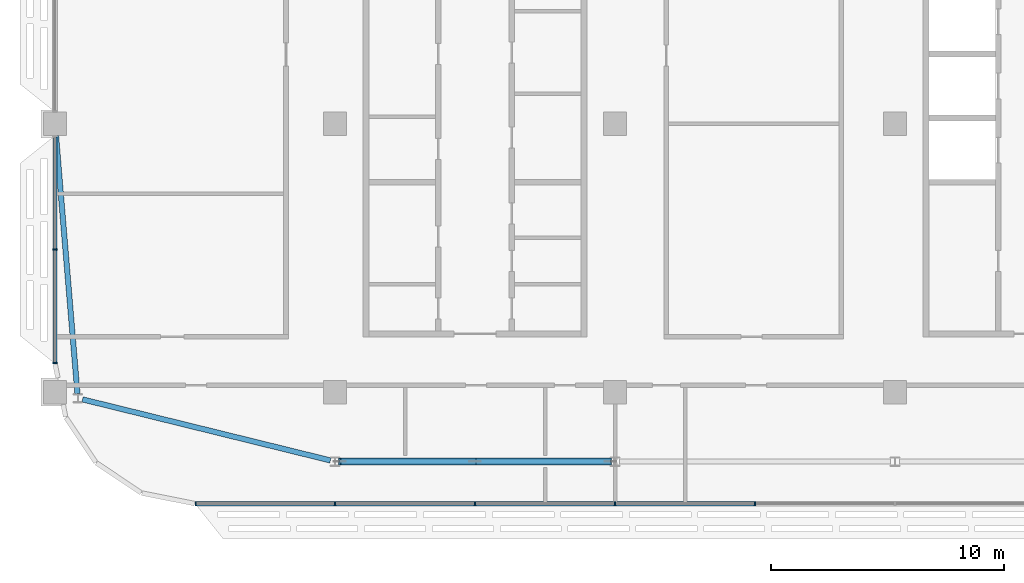
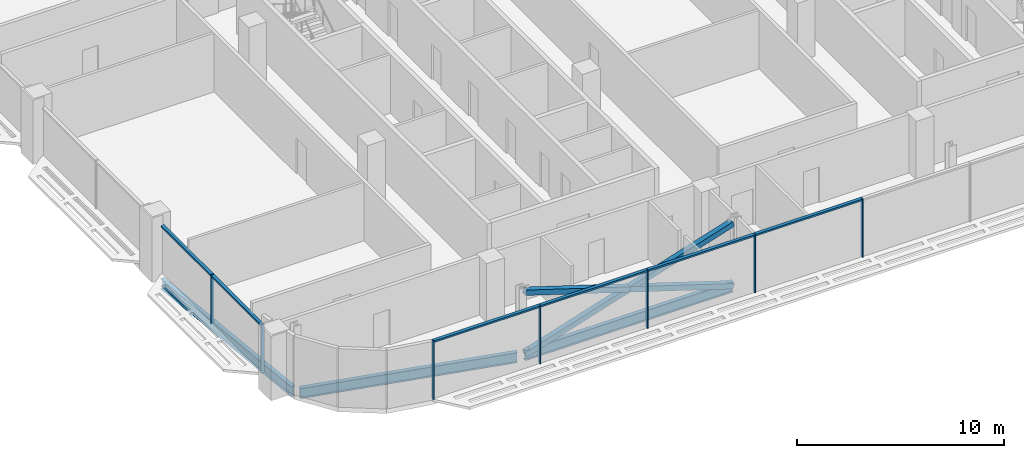
# One storey, part 5 of 32: 16 members, 3 beams, 2 elements without a shape of their own.
"""IFC4 building model written with IfcOpenShell, lengths in metres."""

import ifcopenshell
import ifcopenshell.guid

model = None  # the IFC model being written
_history = None  # IfcOwnerHistory: only IFC2X3 demands one
_inside = {}  # id of a spatial element -> (the spatial element, [elements in it])
_under = {}  # id of a project, library or spatial element -> (it, [spatial elements below it])
_declared = {}  # id of a project -> (the project, [libraries it declares])
_typed = {}  # id of a type object -> (the type object, [elements of that type])
_made_of = {}  # id of a material, layer set ... -> (it, [elements and type objects made of it])


def new_model(schema):
    """Start an empty IFC model of exactly this schema.

    Asked for "IFC4X3", IfcOpenShell would pick the latest addendum, in which some entities
    have other attributes; the version numbers below select the first issue.
    IFC2X3 requires an IfcOwnerHistory on every rooted entity: one is made here for all.
    """
    global model, _history
    if schema == "IFC4X3":
        model = ifcopenshell.file(schema_version=(4, 3, 0, 0))
    else:
        model = ifcopenshell.file(schema=schema)
    _inside.clear()
    _under.clear()
    _declared.clear()
    _typed.clear()
    _made_of.clear()
    _history = None
    if model.schema == "IFC2X3":
        org = make("IfcOrganization", Name="unknown")
        user = make(
            "IfcPersonAndOrganization",
            ThePerson=make("IfcPerson", FamilyName="unknown"),
            TheOrganization=org,
        )
        app = make(
            "IfcApplication",
            ApplicationDeveloper=org,
            Version="unknown",
            ApplicationFullName="unknown",
            ApplicationIdentifier="unknown",
        )
        _history = make(
            "IfcOwnerHistory",
            OwningUser=user,
            OwningApplication=app,
            ChangeAction="ADDED",
            CreationDate=0,
        )
    return model


def make(cls, **values):
    """One entity of the class cls with the attributes given. An attribute that is None is left unset."""
    return model.create_entity(
        cls, **{name: value for name, value in values.items() if value is not None}
    )


def rooted(cls, **values):
    """An entity with a GlobalId (a new one), such as an element, a storey or a relation."""
    return make(cls, GlobalId=ifcopenshell.guid.new(), OwnerHistory=_history, **values)


def si_unit(unit_type, name, prefix=None):
    """IfcSIUnit, for example si_unit("LENGTHUNIT", "METRE", prefix="MILLI")."""
    return make("IfcSIUnit", UnitType=unit_type, Prefix=prefix, Name=name)


def assignment(units):
    """IfcUnitAssignment: the units of a project."""
    return None if units is None else make("IfcUnitAssignment", Units=units)


def point(xyz):
    """IfcCartesianPoint."""
    return None if xyz is None else make("IfcCartesianPoint", Coordinates=xyz)


def direction(xyz):
    """IfcDirection."""
    return None if xyz is None else make("IfcDirection", DirectionRatios=xyz)


def frame(location, z_axis=None, x_axis=None):
    """IfcAxis2Placement3D, a coordinate frame: its origin and axes. An axis left out is left unset."""
    return make(
        "IfcAxis2Placement3D",
        Location=point(location),
        Axis=direction(z_axis),
        RefDirection=direction(x_axis),
    )


def frame_2d(location, x_axis=None):
    """IfcAxis2Placement2D, a coordinate frame in the plane: its origin and x axis."""
    return make(
        "IfcAxis2Placement2D", Location=point(location), RefDirection=direction(x_axis)
    )


def origin():
    """The frame at (0, 0, 0) with its axes left unset."""
    return frame((0.0, 0.0, 0.0))


def origin_2d():
    """The frame at (0, 0) in the plane with its x axis left unset."""
    return frame_2d((0.0, 0.0))


def place(relative_to, where):
    """IfcLocalPlacement: puts the frame where relative to a parent placement (None: the world)."""
    return make(
        "IfcLocalPlacement", PlacementRelTo=relative_to, RelativePlacement=where
    )


def context(
    kind, dimensions, precision=None, world=None, true_north=None, identifier=None
):
    """IfcGeometricRepresentationContext, for example the 3D "Model" context."""
    return make(
        "IfcGeometricRepresentationContext",
        ContextIdentifier=identifier,
        ContextType=kind,
        CoordinateSpaceDimension=dimensions,
        Precision=precision,
        WorldCoordinateSystem=world,
        TrueNorth=true_north,
    )


def subcontext(parent, identifier, kind, view, scale=None):
    """IfcGeometricRepresentationSubContext, for example "Body" below "Model"."""
    return make(
        "IfcGeometricRepresentationSubContext",
        ContextIdentifier=identifier,
        ContextType=kind,
        ParentContext=parent,
        TargetScale=scale,
        TargetView=view,
    )


def project(units=None, contexts=None):
    """IfcProject with its units and contexts."""
    return rooted(
        "IfcProject",
        Name="project",
        RepresentationContexts=contexts,
        UnitsInContext=assignment(units),
    )


def spatial(cls, under=None, at=None, **own):
    """A site, building, storey or space (cls), placed at a placement, below another one or the project."""
    s = rooted(cls, ObjectPlacement=at, **own)
    if under is not None:
        _under.setdefault(under.id(), (under, []))[1].append(s)
    return s


def profile(cls, at=None, kind="AREA", **sizes):
    """A parametric profile (cls). Its sizes go by their IFC names, for example OverallWidth=200.0."""
    return make(cls, ProfileType=kind, Position=at, **sizes)


def rectangle(**sizes):
    """IfcRectangleProfileDef."""
    return profile("IfcRectangleProfileDef", **sizes)


def hollow_rectangle(**sizes):
    """IfcRectangleHollowProfileDef."""
    return profile("IfcRectangleHollowProfileDef", **sizes)


def i_section(**sizes):
    """IfcIShapeProfileDef."""
    return profile("IfcIShapeProfileDef", **sizes)


def extrude(swept, where, along, depth):
    """IfcExtrudedAreaSolid: the profile swept, set in the frame where, extruded along a direction by depth."""
    return make(
        "IfcExtrudedAreaSolid",
        SweptArea=swept,
        Position=where,
        ExtrudedDirection=direction(along),
        Depth=depth,
    )


def shape(context_of_items, identifier, shape_type, items):
    """IfcShapeRepresentation: the items that make up one representation, for example the "Body"."""
    return make(
        "IfcShapeRepresentation",
        ContextOfItems=context_of_items,
        RepresentationIdentifier=identifier,
        RepresentationType=shape_type,
        Items=items,
    )


def material(Name=None, Category=None):
    """IfcMaterial."""
    return make("IfcMaterial", Name=Name, Category=Category)


def material_profile(
    of_material, cross_section, Name=None, Category=None, Priority=None
):
    """IfcMaterialProfile: a cross section and its material."""
    return make(
        "IfcMaterialProfile",
        Name=Name,
        Material=of_material,
        Profile=cross_section,
        Priority=Priority,
        Category=Category,
    )


def profile_set(profiles, Name=None, composite=None):
    """IfcMaterialProfileSet."""
    return make(
        "IfcMaterialProfileSet",
        Name=Name,
        MaterialProfiles=profiles,
        CompositeProfile=composite,
    )


def made_of(thing, what):
    """Note that an element or type object is made of a material, layer set ...; save() writes the relation."""
    if what is not None:
        _made_of.setdefault(what.id(), (what, []))[1].append(thing)
    return thing


def type_object(cls, material=None, **own):
    """A type object (cls), such as IfcWallType, which elements share."""
    return made_of(rooted(cls, **own), material)


def element(
    cls,
    number,
    at=None,
    inside=None,
    cuts=None,
    type_object=None,
    material=None,
    context=None,
    identifier="Body",
    shape_type=None,
    held_by="IfcProductDefinitionShape",
    body=None,
    shapes=None,
    **own,
):
    """One element of the class cls, such as IfcWall. Its Tag is "e" and its number.

    at: its placement. inside: the storey or other place that contains it. cuts: it is an
    opening in that element (IfcRelVoidsElement). A single representation is given by context,
    identifier, shape_type and body (its items); several are given by shapes. held_by: the class
    of the entity that holds the representations. save() writes the other relations.
    """
    e = rooted(cls, Tag="e%d" % number, ObjectPlacement=at, **own)
    if body is not None:
        shapes = [shape(context, identifier, shape_type, body)]
    if shapes is not None:
        e.Representation = make(held_by, Representations=shapes)
    if inside is not None:
        _inside.setdefault(inside.id(), (inside, []))[1].append(e)
    if cuts is not None:
        rooted(
            "IfcRelVoidsElement", RelatingBuildingElement=cuts, RelatedOpeningElement=e
        )
    if type_object is not None:
        _typed.setdefault(type_object.id(), (type_object, []))[1].append(e)
    return made_of(e, material)


def aggregate(whole, parts):
    """IfcRelAggregates: a whole, such as a stair, and the parts it consists of."""
    return rooted("IfcRelAggregates", RelatingObject=whole, RelatedObjects=parts)


def save(model, path):
    """Write the relations noted so far, then the file.

    IfcRelAggregates (storeys below a building ...), IfcRelContainedInSpatialStructure (elements
    in a storey), IfcRelDefinesByType, IfcRelAssociatesMaterial and IfcRelDeclares: one each for
    every whole, place, type object, material and project.
    """
    for whole, parts in _under.values():
        aggregate(whole, parts)
    for where, things in _inside.values():
        rooted(
            "IfcRelContainedInSpatialStructure",
            RelatedElements=things,
            RelatingStructure=where,
        )
    for kind, things in _typed.values():
        rooted("IfcRelDefinesByType", RelatedObjects=things, RelatingType=kind)
    for what, things in _made_of.values():
        rooted("IfcRelAssociatesMaterial", RelatedObjects=things, RelatingMaterial=what)
    for by, libraries in _declared.values():
        rooted("IfcRelDeclares", RelatingContext=by, RelatedDefinitions=libraries)
    model.write(path)


model = new_model("IFC4")

# Units and contexts
model_context = context("Model", 3, precision=1e-05, world=origin(), true_north=direction((0.0, 1.0)))
body_context = subcontext(model_context, "Body", "Model", "MODEL_VIEW")
ifc_project = project(units=[si_unit("LENGTHUNIT", "METRE"), si_unit("AREAUNIT", "SQUARE_METRE"), si_unit("VOLUMEUNIT", "CUBIC_METRE"), si_unit("PLANEANGLEUNIT", "RADIAN"), si_unit("MASSUNIT", "GRAM", prefix="KILO")], contexts=[model_context])

# Site, building, storey
site_placement = place(None, origin())
site = spatial("IfcSite", under=ifc_project, at=site_placement, CompositionType="ELEMENT")
building_placement = place(site_placement, origin())
building = spatial("IfcBuilding", under=site, at=building_placement, Name="Mahtab Terrace Research Tower", CompositionType="ELEMENT")
storey_placement = place(building_placement, frame((0.0, 0.0, 236.199951171875)))
storey = spatial("IfcBuildingStorey", under=building, at=storey_placement, Name="L57", CompositionType="ELEMENT", Elevation=236.199951171875)

# Members
ifc_material_1 = material(Name="Steel ASTM A500 Gr C", Category="steel")
ifc_material_profile_1 = material_profile(ifc_material_1, hollow_rectangle(XDim=0.3046875, YDim=0.3046875, WallThickness=0.015869140625, at=origin_2d()), Name="HSS12X12X5/8")
ifc_profile_set_1 = profile_set([ifc_material_profile_1], Name="Steel ASTM A500 Gr C")
member_type_1 = type_object("IfcMemberType", Name="HSS 12x12x5/8 brace XB121258", PredefinedType="BRACE", material=ifc_profile_set_1)
member_1_placement = place(storey_placement, frame((-29.800537109375, -14.472900390625, -0.580322265625), z_axis=(0.953344342533, 0.0, 0.301885018774), x_axis=(0.0, 1.0, 0.0)))
element("IfcMember", 1, at=member_1_placement, inside=storey, type_object=member_type_1, Name="Exoskeleton brace L57 13 a", PredefinedType="BRACE", context=body_context, shape_type="SweptSolid", body=[
    extrude(hollow_rectangle(XDim=0.3046875, YDim=0.3046875, WallThickness=0.015869140625, at=origin_2d()), origin(), (0.0, 0.0, 1.0), 12.168701171875),
])
for number, where, z_axis, x_axis, name in (
    (2, (-18.199462890625, -14.472900390625, -0.580322265625), (-0.953338568311, 0.0, 0.301903252998), (0.0, -1.0, 0.0), "Exoskeleton brace L57 13 b1"),
    (3, (-24.0, -14.472900390625, 1.256591796875), (-0.953350116476, 0.0, 0.301866784219), (0.0, -1.0, 0.0), "Exoskeleton brace L57 13 b2"),
):
    element("IfcMember", number, at=place(storey_placement, frame(where, z_axis=z_axis, x_axis=x_axis)), inside=storey, type_object=member_type_1, Name=name, PredefinedType="BRACE", context=body_context, shape_type="SweptSolid", body=[
        extrude(hollow_rectangle(XDim=0.3046875, YDim=0.3046875, WallThickness=0.015869140625, at=origin_2d()), origin(), (0.0, 0.0, 1.0), 6.08447265625),
    ])

# Curtain wall, members
ifc_material_2 = material(Name="Office ribbon curtain wall")
curtain_wall_type = type_object("IfcCurtainWallType", Name="Office ribbon curtain wall", PredefinedType="NOTDEFINED", material=ifc_material_2)
curtain_wall_1_placement = place(storey_placement, origin())
curtain_wall_1 = element("IfcCurtainWall", 4, at=curtain_wall_1_placement, inside=storey, type_object=curtain_wall_type, Name="EN.L57.8.10", PredefinedType="NOTDEFINED")
ifc_material_3 = material(Name="Natural anodised aluminium", Category="aluminium")
ifc_material_profile_2 = material_profile(ifc_material_3, rectangle(XDim=0.179931640625, YDim=0.06005859375, at=origin_2d()), Name="MULLION 60x180")
ifc_profile_set_2 = profile_set([ifc_material_profile_2], Name="Natural anodised aluminium")
member_type_2 = type_object("IfcMemberType", Name="Office ribbon curtain wall mullion", PredefinedType="MULLION", material=ifc_profile_set_2)
member_2_placement = place(storey_placement, frame((-42.0, -5.388916015625, 0.0), z_axis=(0.0, 0.0, 1.0), x_axis=(1.0, 0.0, 0.0)))
member_2 = element("IfcMember", 5, at=member_2_placement, type_object=member_type_2, Name="CWO-7 mullion 2", PredefinedType="MULLION", context=body_context, shape_type="SweptSolid", body=[
    extrude(rectangle(XDim=0.179931640625, YDim=0.06005859375, at=origin_2d()), origin(), (0.0, 0.0, 1.0), 2.85302734375),
])
member_3_placement = place(storey_placement, frame((-42.0, -10.248046875, 0.0), z_axis=(0.0, 0.0, 1.0), x_axis=(1.0, 0.0, 0.0)))
member_3 = element("IfcMember", 6, at=member_3_placement, type_object=member_type_2, Name="CWO-7 mullion 3", PredefinedType="MULLION", context=body_context, shape_type="SweptSolid", body=[
    extrude(rectangle(XDim=0.179931640625, YDim=0.06005859375, at=origin_2d()), origin(), (0.0, 0.0, 1.0), 2.85302734375),
])

curtain_wall_2_placement = place(storey_placement, origin())
curtain_wall_2 = element("IfcCurtainWall", 7, at=curtain_wall_2_placement, inside=storey, type_object=curtain_wall_type, Name="EN.L57.13.16", PredefinedType="NOTDEFINED")
member_4_placement = place(storey_placement, frame((-35.969970703125, -16.278076171875, 0.0), z_axis=(0.0, 0.0, 1.0), x_axis=(0.0, 1.0, 0.0)))
member_4 = element("IfcMember", 8, at=member_4_placement, type_object=member_type_2, Name="CWO-7 mullion 1", PredefinedType="MULLION", context=body_context, shape_type="SweptSolid", body=[
    extrude(rectangle(XDim=0.179931640625, YDim=0.06005859375, at=origin_2d()), origin(), (0.0, 0.0, 1.0), 3.4599609375),
])
member_5_placement = place(storey_placement, frame((-30.0, -16.278076171875, 0.0), z_axis=(0.0, 0.0, 1.0), x_axis=(0.0, 1.0, 0.0)))
member_5 = element("IfcMember", 9, at=member_5_placement, type_object=member_type_2, Name="CWO-7 mullion 2", PredefinedType="MULLION", context=body_context, shape_type="SweptSolid", body=[
    extrude(rectangle(XDim=0.179931640625, YDim=0.06005859375, at=origin_2d()), origin(), (0.0, 0.0, 1.0), 3.4599609375),
])
member_6_placement = place(storey_placement, frame((-24.0, -16.278076171875, 0.0), z_axis=(0.0, 0.0, 1.0), x_axis=(0.0, 1.0, 0.0)))
member_6 = element("IfcMember", 10, at=member_6_placement, type_object=member_type_2, Name="CWO-7 mullion 3", PredefinedType="MULLION", context=body_context, shape_type="SweptSolid", body=[
    extrude(rectangle(XDim=0.179931640625, YDim=0.06005859375, at=origin_2d()), origin(), (0.0, 0.0, 1.0), 3.4599609375),
])
member_7_placement = place(storey_placement, frame((-18.0, -16.278076171875, 0.0), z_axis=(0.0, 0.0, 1.0), x_axis=(0.0, 1.0, 0.0)))
member_7 = element("IfcMember", 11, at=member_7_placement, type_object=member_type_2, Name="CWO-7 mullion 4", PredefinedType="MULLION", context=body_context, shape_type="SweptSolid", body=[
    extrude(rectangle(XDim=0.179931640625, YDim=0.06005859375, at=origin_2d()), origin(), (0.0, 0.0, 1.0), 3.4599609375),
])
member_8_placement = place(storey_placement, frame((-12.0, -16.278076171875, 0.0), z_axis=(0.0, 0.0, 1.0), x_axis=(0.0, 1.0, 0.0)))
member_8 = element("IfcMember", 12, at=member_8_placement, type_object=member_type_2, Name="CWO-7 mullion 5", PredefinedType="MULLION", context=body_context, shape_type="SweptSolid", body=[
    extrude(rectangle(XDim=0.179931640625, YDim=0.06005859375, at=origin_2d()), origin(), (0.0, 0.0, 1.0), 3.4599609375),
])

# Member
ifc_material_profile_3 = material_profile(ifc_material_3, rectangle(XDim=0.179931640625, YDim=0.10009765625, at=origin_2d()), Name="TRANSOM 100x180")
ifc_profile_set_3 = profile_set([ifc_material_profile_3], Name="Natural anodised aluminium")
member_type_3 = type_object("IfcMemberType", Name="Office ribbon curtain wall transom", PredefinedType="USERDEFINED", material=ifc_profile_set_3)
member_9_placement = place(storey_placement, frame((-42.0, -0.56005859375, 2.802978515625), z_axis=(0.0, -1.0, 0.0), x_axis=(1.0, 0.0, 0.0)))
member_9 = element("IfcMember", 13, at=member_9_placement, type_object=member_type_3, Name="CWO-7 transom 1", ObjectType="TRANSOM", PredefinedType="USERDEFINED", context=body_context, shape_type="SweptSolid", body=[
    extrude(rectangle(XDim=0.179931640625, YDim=0.10009765625, at=origin_2d()), origin(), (0.0, 0.0, 1.0), 4.798828125),
])

member_10_placement = place(storey_placement, frame((-42.0, -5.4189453125, 2.802978515625), z_axis=(0.0, -1.0, 0.0), x_axis=(1.0, 0.0, 0.0)))
member_10 = element("IfcMember", 14, at=member_10_placement, type_object=member_type_3, Name="CWO-7 transom 2", ObjectType="TRANSOM", PredefinedType="USERDEFINED", context=body_context, shape_type="SweptSolid", body=[
    extrude(rectangle(XDim=0.179931640625, YDim=0.10009765625, at=origin_2d()), origin(), (0.0, 0.0, 1.0), 4.799072265625),
])

aggregate(curtain_wall_1, [member_2, member_3, member_9, member_10])

member_11_placement = place(storey_placement, frame((-35.93994140625, -16.278076171875, 3.41015625), z_axis=(1.0, 0.0, 0.0), x_axis=(0.0, 1.0, 0.0)))
member_11 = element("IfcMember", 15, at=member_11_placement, type_object=member_type_3, Name="CWO-7 transom 1", ObjectType="TRANSOM", PredefinedType="USERDEFINED", context=body_context, shape_type="SweptSolid", body=[
    extrude(rectangle(XDim=0.179931640625, YDim=0.10009765625, at=origin_2d()), origin(), (0.0, 0.0, 1.0), 5.909912109375),
])

member_12_placement = place(storey_placement, frame((-29.969970703125, -16.278076171875, 3.41015625), z_axis=(1.0, 0.0, 0.0), x_axis=(0.0, 1.0, 0.0)))
member_12 = element("IfcMember", 16, at=member_12_placement, type_object=member_type_3, Name="CWO-7 transom 2", ObjectType="TRANSOM", PredefinedType="USERDEFINED", context=body_context, shape_type="SweptSolid", body=[
    extrude(rectangle(XDim=0.179931640625, YDim=0.10009765625, at=origin_2d()), origin(), (0.0, 0.0, 1.0), 5.93994140625),
])

member_13_placement = place(storey_placement, frame((-23.969970703125, -16.278076171875, 3.41015625), z_axis=(1.0, 0.0, 0.0), x_axis=(0.0, 1.0, 0.0)))
member_13 = element("IfcMember", 17, at=member_13_placement, type_object=member_type_3, Name="CWO-7 transom 3", ObjectType="TRANSOM", PredefinedType="USERDEFINED", context=body_context, shape_type="SweptSolid", body=[
    extrude(rectangle(XDim=0.179931640625, YDim=0.10009765625, at=origin_2d()), origin(), (0.0, 0.0, 1.0), 5.93994140625),
])

member_14_placement = place(storey_placement, frame((-17.969970703125, -16.278076171875, 3.41015625), z_axis=(1.0, 0.0, 0.0), x_axis=(0.0, 1.0, 0.0)))
member_14 = element("IfcMember", 18, at=member_14_placement, type_object=member_type_3, Name="CWO-7 transom 4", ObjectType="TRANSOM", PredefinedType="USERDEFINED", context=body_context, shape_type="SweptSolid", body=[
    extrude(rectangle(XDim=0.179931640625, YDim=0.10009765625, at=origin_2d()), origin(), (0.0, 0.0, 1.0), 5.93994140625),
])

aggregate(curtain_wall_2, [member_4, member_5, member_6, member_7, member_8, member_11, member_12, member_13, member_14])

# Beams
ifc_material_4 = material(Name="Steel ASTM A992 Gr 50", Category="steel")
ifc_material_profile_4 = material_profile(ifc_material_4, i_section(OverallWidth=0.228271484375, OverallDepth=0.607177734375, WebThickness=0.01123046875, FlangeThickness=0.017333984375, at=origin_2d()), Name="W24X76")
ifc_profile_set_4 = profile_set([ifc_material_profile_4], Name="Steel ASTM A992 Gr 50")
beam_type = type_object("IfcBeamType", Name="W24x76 beam BS2476", PredefinedType="BEAM", material=ifc_profile_set_4)
beam_1_placement = place(storey_placement, frame((-41.958251953125, -0.5, -0.6435546875), z_axis=(0.082961772462, -0.996552730321, 0.0), x_axis=(0.996552730321, 0.082961772462, 0.0)))
element("IfcBeam", 19, at=beam_1_placement, inside=storey, type_object=beam_type, Name="Spandrel beam L57 11", PredefinedType="BEAM", context=body_context, shape_type="SweptSolid", body=[
    extrude(i_section(OverallWidth=0.228271484375, OverallDepth=0.607177734375, WebThickness=0.01123046875, FlangeThickness=0.017333984375, at=origin_2d()), origin(), (0.0, 0.0, 1.0), 11.103271484375),
])
beam_2_placement = place(storey_placement, frame((-40.821533203125, -11.80712890625, -0.6435546875), z_axis=(0.970971673225, -0.239194502014, 0.0), x_axis=(0.239194502014, 0.970971673225, 0.0)))
element("IfcBeam", 20, at=beam_2_placement, inside=storey, type_object=beam_type, Name="Spandrel beam L57 12", PredefinedType="BEAM", context=body_context, shape_type="SweptSolid", body=[
    extrude(i_section(OverallWidth=0.228271484375, OverallDepth=0.607177734375, WebThickness=0.01123046875, FlangeThickness=0.017333984375, at=origin_2d()), origin(), (0.0, 0.0, 1.0), 10.939697265625),
])
beam_3_placement = place(storey_placement, frame((-29.800537109375, -14.472900390625, -0.6435546875), z_axis=(1.0, 0.0, 0.0), x_axis=(0.0, 1.0, 0.0)))
element("IfcBeam", 21, at=beam_3_placement, inside=storey, type_object=beam_type, Name="Spandrel beam L57 13", PredefinedType="BEAM", context=body_context, shape_type="SweptSolid", body=[
    extrude(i_section(OverallWidth=0.228271484375, OverallDepth=0.607177734375, WebThickness=0.01123046875, FlangeThickness=0.017333984375, at=origin_2d()), origin(), (0.0, 0.0, 1.0), 11.60107421875),
])

save(model, "model.ifc")
